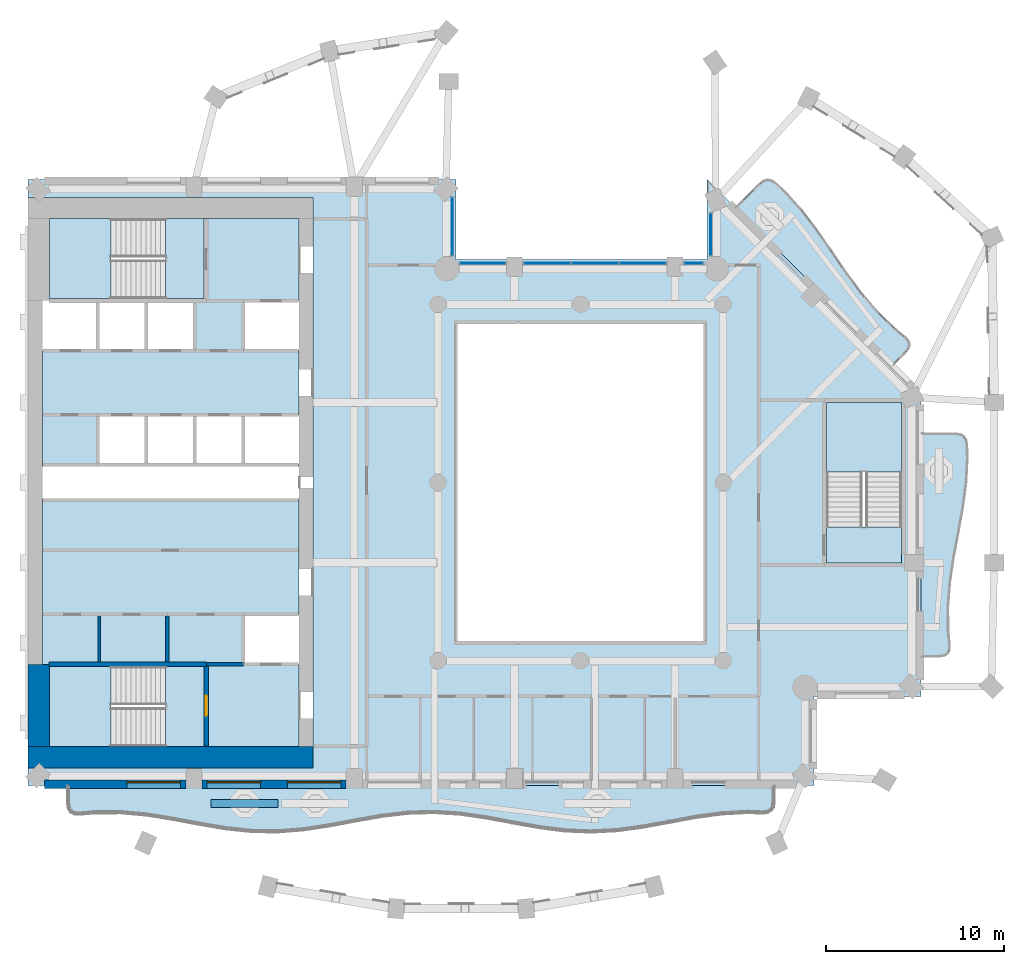
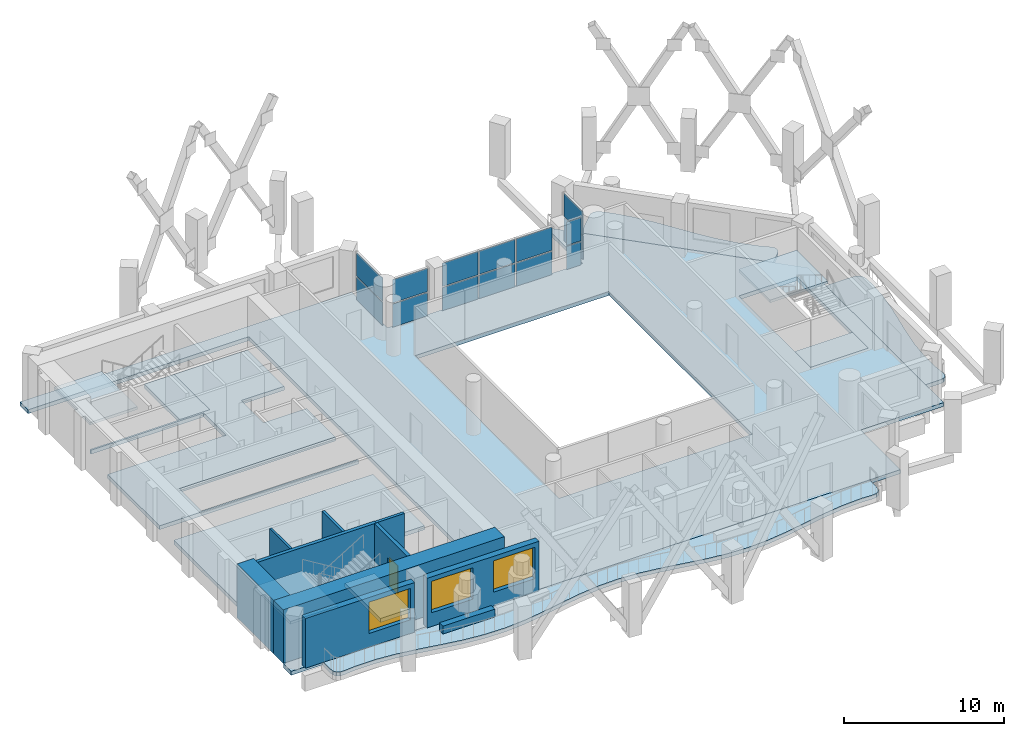
# One storey, part 3 of 16: 14 plates, 12 slabs, 10 walls, 3 windows, 1 door, 4 openings, 8 elements without a shape of their own.
"""IFC4 building model written with IfcOpenShell, lengths in metres."""

from ifc_helpers import new_model, si_unit, direction, frame, frame_2d, origin, origin_2d, place, context, subcontext, project, spatial, polyline, rectangle, outline, extrude, material, layer, layer_set, type_object, element, fill, aggregate, save


model = new_model("IFC4")

# Units and contexts
model_context = context("Model", 3, precision=1e-05, world=origin(), true_north=direction((0.0, 1.0)))
body_context = subcontext(model_context, "Body", "Model", "MODEL_VIEW")
ifc_project = project(units=[si_unit("LENGTHUNIT", "METRE"), si_unit("AREAUNIT", "SQUARE_METRE"), si_unit("VOLUMEUNIT", "CUBIC_METRE"), si_unit("PLANEANGLEUNIT", "RADIAN"), si_unit("MASSUNIT", "GRAM", prefix="KILO")], contexts=[model_context])

# Site, building, storey
site_placement = place(None, origin())
site = spatial("IfcSite", under=ifc_project, at=site_placement, CompositionType="ELEMENT")
building_placement = place(site_placement, origin())
building = spatial("IfcBuilding", under=site, at=building_placement, Name="Cypress Arch Tower", CompositionType="ELEMENT")
storey_placement = place(building_placement, frame((0.0, 0.0, 181.0)))
storey = spatial("IfcBuildingStorey", under=building, at=storey_placement, Name="L39", CompositionType="ELEMENT", Elevation=181.0)

# Slabs
ifc_material_1 = material(Name="Concrete C40/50", Category="concrete")
ifc_layer_1 = layer(ifc_material_1, 0.300048828125)
ifc_layer_set_1 = layer_set([ifc_layer_1], Name="Balcony slab BS300")
slab_type_1 = type_object("IfcSlabType", Name="Balcony slab BS300", PredefinedType="USERDEFINED", material=ifc_layer_set_1)
slab_1_placement = place(storey_placement, frame((0.0, 0.0, -0.300048828125)))
element("IfcSlab", 1, at=slab_1_placement, inside=storey, type_object=slab_type_1, Name="Balcony slab L39-B01", ObjectType="BALCONY SLAB", PredefinedType="USERDEFINED", context=body_context, shape_type="SweptSolid", body=[
    extrude(outline(polyline([(-27.75, -17.0), (-27.75, -17.998291015625), (-27.708740234375, -18.284423828125), (-27.5849609375, -18.479736328125), (-27.378662109375, -18.584228515625), (-27.090087890625, -18.597900390625), (-26.283447265625, -18.5205078125), (-24.816650390625, -18.515625), (-23.35009765625, -18.64794921875), (-21.88330078125, -18.88330078125), (-20.416748046875, -19.161865234375), (-18.949951171875, -19.41162109375), (-17.4833984375, -19.56884765625), (-16.0166015625, -19.593017578125), (-14.550048828125, -19.478271484375), (-13.083251953125, -19.253662109375), (-11.61669921875, -18.97705078125), (-10.14990234375, -18.71923828125), (-8.683349609375, -18.54638671875), (-7.216552734375, -18.502685546875), (-5.75, -18.599609375), (-4.283447265625, -18.81201171875), (-2.816650390625, -19.085693359375), (-1.35009765625, -19.350341796875), (0.11669921875, -19.5380859375), (1.583251953125, -19.6005859375), (3.050048828125, -19.522216796875), (4.5166015625, -19.322998046875), (5.9833984375, -19.0537109375), (7.449951171875, -18.78369140625), (8.916748046875, -18.58203125), (10.38330078125, -18.50048828125), (11.18994140625, -18.533203125), (11.478759765625, -18.503662109375), (11.68505859375, -18.38818359375), (11.808837890625, -18.186767578125), (11.85009765625, -17.8994140625), (11.85009765625, -17.0), (-27.75, -17.0)])), origin(), (0.0, 0.0, 1.0), 0.300048828125),
])
slab_2_placement = place(storey_placement, frame((0.0, 0.0, -0.300048828125)))
element("IfcSlab", 2, at=slab_2_placement, inside=storey, type_object=slab_type_1, Name="Balcony slab L39-B04", ObjectType="BALCONY SLAB", PredefinedType="USERDEFINED", context=body_context, shape_type="SweptSolid", body=[
    extrude(outline(polyline([(20.10009765625, -9.75), (21.13330078125, -9.75), (21.404052734375, -9.7109375), (21.5888671875, -9.59375), (21.6875, -9.3984375), (21.69970703125, -9.125), (21.624755859375, -8.361083984375), (21.609375, -6.97216796875), (21.71875, -5.583251953125), (21.927490234375, -4.1943359375), (22.187744140625, -2.8056640625), (22.439453125, -1.416748046875), (22.62451171875, -0.02783203125), (22.7001953125, 1.361083984375), (22.67236328125, 2.125), (22.623046875, 2.3984375), (22.498779296875, 2.59375), (22.299072265625, 2.7109375), (22.02392578125, 2.75), (20.10009765625, 2.75), (20.10009765625, -9.75)])), origin(), (0.0, 0.0, 1.0), 0.300048828125),
])
slab_3_placement = place(storey_placement, frame((0.0, 0.0, -0.300048828125)))
element("IfcSlab", 3, at=slab_3_placement, inside=storey, type_object=slab_type_1, Name="Balcony slab L39-B05", ObjectType="BALCONY SLAB", PredefinedType="USERDEFINED", context=body_context, shape_type="SweptSolid", body=[
    extrude(outline(polyline([(18.509033203125, 6.591064453125), (19.24072265625, 7.322509765625), (19.404296875, 7.541259765625), (19.451904296875, 7.75439453125), (19.383544921875, 7.961669921875), (19.199462890625, 8.1630859375), (18.607421875, 8.64892578125), (17.616455078125, 9.61767578125), (16.71337890625, 10.674072265625), (15.880615234375, 11.80078125), (15.084228515625, 12.9638671875), (14.2822265625, 14.12158203125), (13.43408203125, 15.23291015625), (12.50927734375, 16.267822265625), (11.95166015625, 16.787841796875), (11.724365234375, 16.9462890625), (11.4990234375, 16.99658203125), (11.275634765625, 16.9384765625), (11.05419921875, 16.772216796875), (9.69091796875, 15.408935546875), (18.509033203125, 6.591064453125)])), origin(), (0.0, 0.0, 1.0), 0.300048828125),
])
ifc_material_2 = material(Name="Concrete C40/50", Category="concrete")
ifc_layer_2 = layer(ifc_material_2, 0.300048828125)
ifc_layer_set_2 = layer_set([ifc_layer_2], Name="Core floor CF300")
slab_type_2 = type_object("IfcSlabType", Name="Core floor CF300", PredefinedType="FLOOR", material=ifc_layer_set_2)
slab_4_placement = place(storey_placement, frame((0.0, 0.0, -0.300048828125)))
element("IfcSlab", 4, at=slab_4_placement, inside=storey, type_object=slab_type_2, Name="Core floor", PredefinedType="FLOOR", context=body_context, shape_type="SweptSolid", body=[
    extrude(outline(polyline([(-28.800048828125, -10.199951171875), (-29.199951171875, -10.199951171875), (-29.199951171875, -0.89990234375), (-15.199951171875, -0.89990234375), (-14.800048828125, -0.89990234375), (-14.800048828125, -7.39990234375), (-15.199951171875, -7.39990234375), (-17.919921875, -7.39990234375), (-17.919921875, -10.199951171875), (-15.199951171875, -10.199951171875), (-14.800048828125, -10.199951171875), (-14.800048828125, -14.800048828125), (-15.199951171875, -14.800048828125), (-20.125, -14.800048828125), (-20.125, -10.324951171875), (-22.27490234375, -10.324951171875), (-28.800048828125, -10.324951171875), (-28.800048828125, -10.199951171875)])), origin(), (0.0, 0.0, 1.0), 0.300048828125),
])
slab_5_placement = place(storey_placement, frame((0.0, 0.0, -0.300048828125)))
element("IfcSlab", 5, at=slab_5_placement, inside=storey, type_object=slab_type_2, Name="Core floor", PredefinedType="FLOOR", context=body_context, shape_type="SweptSolid", body=[
    extrude(outline(polyline([(-22.27490234375, -10.324951171875), (-22.27490234375, -14.800048828125), (-20.125, -14.800048828125), (-20.125, -10.324951171875), (-22.27490234375, -10.324951171875)])), origin(), (0.0, 0.0, 1.0), 0.300048828125),
])
slab_6_placement = place(storey_placement, frame((0.0, 0.0, -0.300048828125)))
element("IfcSlab", 6, at=slab_6_placement, inside=storey, type_object=slab_type_2, Name="Core floor", PredefinedType="FLOOR", context=body_context, shape_type="SweptSolid", body=[
    extrude(outline(polyline([(-20.125, 14.800048828125), (-22.27490234375, 14.800048828125), (-22.27490234375, 10.324951171875), (-20.125, 10.324951171875), (-20.125, 14.800048828125)])), origin(), (0.0, 0.0, 1.0), 0.300048828125),
])
slab_7_placement = place(storey_placement, frame((0.0, 0.0, -0.300048828125)))
element("IfcSlab", 7, at=slab_7_placement, inside=storey, type_object=slab_type_2, Name="Stair floor landing", PredefinedType="FLOOR", context=body_context, shape_type="SweptSolid", body=[
    extrude(outline(polyline([(19.0, -4.5), (19.0, -2.5), (14.800048828125, -2.5), (14.800048828125, -4.5), (19.0, -4.5)])), origin(), (0.0, 0.0, 1.0), 0.300048828125),
])
slab_8_placement = place(storey_placement, frame((0.0, 0.0, -0.300048828125)))
element("IfcSlab", 8, at=slab_8_placement, inside=storey, type_object=slab_type_2, Name="Core floor", PredefinedType="FLOOR", context=body_context, shape_type="SweptSolid", body=[
    extrude(outline(polyline([(-20.639892578125, 7.39990234375), (-20.639892578125, 10.199951171875), (-23.360107421875, 10.199951171875), (-26.080078125, 10.199951171875), (-28.800048828125, 10.199951171875), (-28.800048828125, 10.324951171875), (-22.27490234375, 10.324951171875), (-20.125, 10.324951171875), (-20.125, 14.800048828125), (-15.199951171875, 14.800048828125), (-14.800048828125, 14.800048828125), (-14.800048828125, 10.199951171875), (-15.199951171875, 10.199951171875), (-17.919921875, 10.199951171875), (-17.919921875, 7.39990234375), (-15.199951171875, 7.39990234375), (-14.800048828125, 7.39990234375), (-14.800048828125, 3.800048828125), (-15.199951171875, 3.800048828125), (-17.919921875, 3.800048828125), (-20.639892578125, 3.800048828125), (-23.360107421875, 3.800048828125), (-26.080078125, 3.800048828125), (-26.080078125, 1.5), (-26.080078125, 1.5), (-26.080078125, 1.0), (-25.679931640625, 1.0), (-23.360107421875, 1.0), (-20.639892578125, 1.0), (-17.919921875, 1.0), (-15.199951171875, 1.0), (-14.800048828125, 1.0), (-14.800048828125, 0.89990234375), (-15.199951171875, 0.89990234375), (-25.679931640625, 0.89990234375), (-26.47998046875, 0.89990234375), (-29.199951171875, 0.89990234375), (-29.199951171875, 1.5), (-29.199951171875, 7.39990234375), (-26.080078125, 7.39990234375), (-23.360107421875, 7.39990234375), (-20.639892578125, 7.39990234375)])), origin(), (0.0, 0.0, 1.0), 0.300048828125),
])

# Curtain wall, plates
ifc_material_3 = material(Name="Anodised aluminium, bronze finish, clear laminated double glazing", Category="aluminium")
curtain_wall_type = type_object("IfcCurtainWallType", Name="Curtain wall CW7 slot glazing", PredefinedType="NOTDEFINED", material=ifc_material_3)
curtain_wall_1_placement = place(storey_placement, origin())
curtain_wall_1 = element("IfcCurtainWall", 9, at=curtain_wall_1_placement, inside=storey, type_object=curtain_wall_type, Name="Curtain wall L39 slot B06.0", PredefinedType="NOTDEFINED")
ifc_material_4 = material(Name="Clear laminated double glazing", Category="glass")
ifc_layer_3 = layer(ifc_material_4, 0.0439453125)
ifc_layer_set_3 = layer_set([ifc_layer_3], Name="Glass panel CW7 44")
plate_type = type_object("IfcPlateType", Name="Glass panel CW7 44", PredefinedType="CURTAIN_PANEL", material=ifc_layer_set_3)
plate_1_placement = place(storey_placement, frame((8.300048828125, 13.912353515625, 0.0849609375), z_axis=(0.0, 0.0, 1.0), x_axis=(0.0, -1.0, 0.0)))
plate_1 = element("IfcPlate", 10, at=plate_1_placement, type_object=plate_type, Name="CW7 panel 1.1", PredefinedType="CURTAIN_PANEL", context=body_context, shape_type="SweptSolid", body=[
    extrude(rectangle(XDim=2.345458984375, YDim=0.0439453125, at=origin_2d()), origin(), (0.0, 0.0, 1.0), 1.7724609375),
])
plate_2_placement = place(storey_placement, frame((8.300048828125, 13.912353515625, 1.942626953125), z_axis=(0.0, 0.0, 1.0), x_axis=(0.0, -1.0, 0.0)))
plate_2 = element("IfcPlate", 11, at=plate_2_placement, type_object=plate_type, Name="CW7 panel 1.2", PredefinedType="CURTAIN_PANEL", context=body_context, shape_type="SweptSolid", body=[
    extrude(rectangle(XDim=2.345458984375, YDim=0.0439453125, at=origin_2d()), origin(), (0.0, 0.0, 1.0), 1.7724609375),
])
aggregate(curtain_wall_1, [plate_1, plate_2])

curtain_wall_2_placement = place(storey_placement, origin())
curtain_wall_2 = element("IfcCurtainWall", 12, at=curtain_wall_2_placement, inside=storey, type_object=curtain_wall_type, Name="Curtain wall L39 slot B07.0", PredefinedType="NOTDEFINED")
plate_3_placement = place(storey_placement, frame((7.34765625, 12.300048828125, 0.0849609375), z_axis=(0.0, 0.0, 1.0), x_axis=(-1.0, 0.0, 0.0)))
plate_3 = element("IfcPlate", 13, at=plate_3_placement, type_object=plate_type, Name="CW7 panel 1.1", PredefinedType="CURTAIN_PANEL", context=body_context, shape_type="SweptSolid", body=[
    extrude(rectangle(XDim=1.025390625, YDim=0.0439453125, at=origin_2d()), origin(), (0.0, 0.0, 1.0), 1.7724609375),
])
plate_4_placement = place(storey_placement, frame((7.34765625, 12.300048828125, 1.942626953125), z_axis=(0.0, 0.0, 1.0), x_axis=(-1.0, 0.0, 0.0)))
plate_4 = element("IfcPlate", 14, at=plate_4_placement, type_object=plate_type, Name="CW7 panel 1.2", PredefinedType="CURTAIN_PANEL", context=body_context, shape_type="SweptSolid", body=[
    extrude(rectangle(XDim=1.025390625, YDim=0.0439453125, at=origin_2d()), origin(), (0.0, 0.0, 1.0), 1.7724609375),
])
aggregate(curtain_wall_2, [plate_3, plate_4])

curtain_wall_3_placement = place(storey_placement, origin())
curtain_wall_3 = element("IfcCurtainWall", 15, at=curtain_wall_3_placement, inside=storey, type_object=curtain_wall_type, Name="Curtain wall L39 slot B07.1", PredefinedType="NOTDEFINED")
plate_5_placement = place(storey_placement, frame((4.478759765625, 12.300048828125, 0.0849609375), z_axis=(0.0, 0.0, 1.0), x_axis=(-1.0, 0.0, 0.0)))
plate_5 = element("IfcPlate", 16, at=plate_5_placement, type_object=plate_type, Name="CW7 panel 1.1", PredefinedType="CURTAIN_PANEL", context=body_context, shape_type="SweptSolid", body=[
    extrude(rectangle(XDim=2.572509765625, YDim=0.0439453125, at=origin_2d()), origin(), (0.0, 0.0, 1.0), 1.7724609375),
])
plate_6_placement = place(storey_placement, frame((4.478759765625, 12.300048828125, 1.942626953125), z_axis=(0.0, 0.0, 1.0), x_axis=(-1.0, 0.0, 0.0)))
plate_6 = element("IfcPlate", 17, at=plate_6_placement, type_object=plate_type, Name="CW7 panel 1.2", PredefinedType="CURTAIN_PANEL", context=body_context, shape_type="SweptSolid", body=[
    extrude(rectangle(XDim=2.572509765625, YDim=0.0439453125, at=origin_2d()), origin(), (0.0, 0.0, 1.0), 1.7724609375),
])
plate_7_placement = place(storey_placement, frame((1.800048828125, 12.300048828125, 0.0849609375), z_axis=(0.0, 0.0, 1.0), x_axis=(-1.0, 0.0, 0.0)))
plate_7 = element("IfcPlate", 18, at=plate_7_placement, type_object=plate_type, Name="CW7 panel 2.1", PredefinedType="CURTAIN_PANEL", context=body_context, shape_type="SweptSolid", body=[
    extrude(rectangle(XDim=2.614990234375, YDim=0.0439453125, at=origin_2d()), origin(), (0.0, 0.0, 1.0), 1.7724609375),
])
plate_8_placement = place(storey_placement, frame((1.800048828125, 12.300048828125, 1.942626953125), z_axis=(0.0, 0.0, 1.0), x_axis=(-1.0, 0.0, 0.0)))
plate_8 = element("IfcPlate", 19, at=plate_8_placement, type_object=plate_type, Name="CW7 panel 2.2", PredefinedType="CURTAIN_PANEL", context=body_context, shape_type="SweptSolid", body=[
    extrude(rectangle(XDim=2.614990234375, YDim=0.0439453125, at=origin_2d()), origin(), (0.0, 0.0, 1.0), 1.7724609375),
])
plate_9_placement = place(storey_placement, frame((-0.878662109375, 12.300048828125, 0.0849609375), z_axis=(0.0, 0.0, 1.0), x_axis=(-1.0, 0.0, 0.0)))
plate_9 = element("IfcPlate", 20, at=plate_9_placement, type_object=plate_type, Name="CW7 panel 3.1", PredefinedType="CURTAIN_PANEL", context=body_context, shape_type="SweptSolid", body=[
    extrude(rectangle(XDim=2.572509765625, YDim=0.0439453125, at=origin_2d()), origin(), (0.0, 0.0, 1.0), 1.7724609375),
])
plate_10_placement = place(storey_placement, frame((-0.878662109375, 12.300048828125, 1.942626953125), z_axis=(0.0, 0.0, 1.0), x_axis=(-1.0, 0.0, 0.0)))
plate_10 = element("IfcPlate", 21, at=plate_10_placement, type_object=plate_type, Name="CW7 panel 3.2", PredefinedType="CURTAIN_PANEL", context=body_context, shape_type="SweptSolid", body=[
    extrude(rectangle(XDim=2.572509765625, YDim=0.0439453125, at=origin_2d()), origin(), (0.0, 0.0, 1.0), 1.7724609375),
])
aggregate(curtain_wall_3, [plate_5, plate_6, plate_7, plate_8, plate_9, plate_10])

curtain_wall_4_placement = place(storey_placement, origin())
curtain_wall_4 = element("IfcCurtainWall", 22, at=curtain_wall_4_placement, inside=storey, type_object=curtain_wall_type, Name="Curtain wall L39 slot B07.2", PredefinedType="NOTDEFINED")
plate_11_placement = place(storey_placement, frame((-4.497802734375, 12.300048828125, 0.0849609375), z_axis=(0.0, 0.0, 1.0), x_axis=(-1.0, 0.0, 0.0)))
plate_11 = element("IfcPlate", 23, at=plate_11_placement, type_object=plate_type, Name="CW7 panel 1.1", PredefinedType="CURTAIN_PANEL", context=body_context, shape_type="SweptSolid", body=[
    extrude(rectangle(XDim=2.525390625, YDim=0.0439453125, at=origin_2d()), origin(), (0.0, 0.0, 1.0), 1.7724609375),
])
plate_12_placement = place(storey_placement, frame((-4.497802734375, 12.300048828125, 1.942626953125), z_axis=(0.0, 0.0, 1.0), x_axis=(-1.0, 0.0, 0.0)))
plate_12 = element("IfcPlate", 24, at=plate_12_placement, type_object=plate_type, Name="CW7 panel 1.2", PredefinedType="CURTAIN_PANEL", context=body_context, shape_type="SweptSolid", body=[
    extrude(rectangle(XDim=2.525390625, YDim=0.0439453125, at=origin_2d()), origin(), (0.0, 0.0, 1.0), 1.7724609375),
])
aggregate(curtain_wall_4, [plate_11, plate_12])

curtain_wall_5_placement = place(storey_placement, origin())
curtain_wall_5 = element("IfcCurtainWall", 25, at=curtain_wall_5_placement, inside=storey, type_object=curtain_wall_type, Name="Curtain wall L39 slot B08.0", PredefinedType="NOTDEFINED")
plate_13_placement = place(storey_placement, frame((-6.199951171875, 14.359130859375, 0.0849609375), z_axis=(0.0, 0.0, 1.0), x_axis=(0.0, 1.0, 0.0)))
plate_13 = element("IfcPlate", 26, at=plate_13_placement, type_object=plate_type, Name="CW7 panel 1.1", PredefinedType="CURTAIN_PANEL", context=body_context, shape_type="SweptSolid", body=[
    extrude(rectangle(XDim=3.239013671875, YDim=0.0439453125, at=origin_2d()), origin(), (0.0, 0.0, 1.0), 1.7724609375),
])
plate_14_placement = place(storey_placement, frame((-6.199951171875, 14.359130859375, 1.942626953125), z_axis=(0.0, 0.0, 1.0), x_axis=(0.0, 1.0, 0.0)))
plate_14 = element("IfcPlate", 27, at=plate_14_placement, type_object=plate_type, Name="CW7 panel 1.2", PredefinedType="CURTAIN_PANEL", context=body_context, shape_type="SweptSolid", body=[
    extrude(rectangle(XDim=3.239013671875, YDim=0.0439453125, at=origin_2d()), origin(), (0.0, 0.0, 1.0), 1.7724609375),
])
aggregate(curtain_wall_5, [plate_13, plate_14])

# Slab
ifc_material_5 = material(Name="Concrete C40/50", Category="concrete")
ifc_layer_4 = layer(ifc_material_5, 0.300048828125)
ifc_layer_set_4 = layer_set([ifc_layer_4], Name="PT flat slab 300 Concrete C40/50")
slab_type_3 = type_object("IfcSlabType", Name="PT flat slab 300 Concrete C40/50", PredefinedType="FLOOR", material=ifc_layer_set_4)
slab_9_placement = place(storey_placement, frame((0.0, 0.0, -0.300048828125)))
element("IfcSlab", 28, at=slab_9_placement, inside=storey, type_object=slab_type_3, Name="Floor slab L39", PredefinedType="FLOOR", context=body_context, shape_type="SweptSolid", body=[
    extrude(outline(polyline([(-30.0, 17.0), (-6.0, 17.0), (-6.0, 12.5), (8.10009765625, 12.5), (8.10009765625, 17.0), (20.10009765625, 5.0), (20.10009765625, -12.0), (14.10009765625, -12.0), (14.10009765625, -17.0), (-30.0, -17.0), (-30.0, -16.0), (-14.0, -16.0), (-14.0, 16.0), (-30.0, 16.0), (-30.0, 17.0)]), holes=[polyline([(-6.0, -9.0), (8.0, -9.0), (8.0, 9.0), (-6.0, 9.0), (-6.0, -9.0)]), polyline([(14.800048828125, -4.5), (19.0, -4.5), (19.0, 4.5), (14.800048828125, 4.5), (14.800048828125, -4.5)])]), origin(), (0.0, 0.0, 1.0), 0.300048828125),
])

# Stair, slab
ifc_material_6 = material(Name="Concrete C40/50", Category="concrete")
stair_type_1 = type_object("IfcStairType", Name="Exit stair ES1708-215", PredefinedType="HALF_TURN_STAIR", material=ifc_material_6)
stair_1_placement = place(storey_placement, origin())
stair_1 = element("IfcStair", 29, at=stair_1_placement, inside=storey, type_object=stair_type_1, Name="L39 Exit stair A", PredefinedType="HALF_TURN_STAIR")
ifc_material_7 = material(Name="Concrete C40/50", Category="concrete")
ifc_layer_5 = layer(ifc_material_7, 0.199951171875)
ifc_layer_set_5 = layer_set([ifc_layer_5], Name="Stair landing SL200")
slab_type_4 = type_object("IfcSlabType", Name="Stair landing SL200", PredefinedType="LANDING", material=ifc_layer_set_5)
slab_10_placement = place(storey_placement, frame((0.0, 0.0, 1.85009765625)))
slab_10 = element("IfcSlab", 30, at=slab_10_placement, type_object=slab_type_4, Name="A landing 1", PredefinedType="LANDING", context=body_context, shape_type="SweptSolid", body=[
    extrude(outline(polyline([(-25.35498046875, -10.324951171875), (-28.800048828125, -10.324951171875), (-28.800048828125, -14.800048828125), (-25.35498046875, -14.800048828125), (-25.35498046875, -10.324951171875)])), origin(), (0.0, 0.0, 1.0), 0.199951171875),
])
aggregate(stair_1, [slab_10])

stair_2_placement = place(storey_placement, origin())
stair_2 = element("IfcStair", 31, at=stair_2_placement, inside=storey, type_object=stair_type_1, Name="L39 Exit stair B", PredefinedType="HALF_TURN_STAIR")
slab_11_placement = place(storey_placement, frame((0.0, 0.0, 1.85009765625)))
slab_11 = element("IfcSlab", 32, at=slab_11_placement, type_object=slab_type_4, Name="B landing 1", PredefinedType="LANDING", context=body_context, shape_type="SweptSolid", body=[
    extrude(outline(polyline([(-25.35498046875, 14.800048828125), (-28.800048828125, 14.800048828125), (-28.800048828125, 10.324951171875), (-25.35498046875, 10.324951171875), (-25.35498046875, 14.800048828125)])), origin(), (0.0, 0.0, 1.0), 0.199951171875),
])
aggregate(stair_2, [slab_11])

ifc_material_8 = material(Name="Concrete C40/50", Category="concrete")
stair_type_2 = type_object("IfcStairType", Name="Exit stair ES1708-200", PredefinedType="HALF_TURN_STAIR", material=ifc_material_8)
stair_3_placement = place(storey_placement, origin())
stair_3 = element("IfcStair", 33, at=stair_3_placement, inside=storey, type_object=stair_type_2, Name="L39 Exit stair C", PredefinedType="HALF_TURN_STAIR")
slab_12_placement = place(storey_placement, frame((0.0, 0.0, 1.85009765625)))
slab_12 = element("IfcSlab", 34, at=slab_12_placement, type_object=slab_type_4, Name="C landing 1", PredefinedType="LANDING", context=body_context, shape_type="SweptSolid", body=[
    extrude(outline(polyline([(19.0, 0.580078125), (19.0, 4.5), (14.800048828125, 4.5), (14.800048828125, 0.580078125), (19.0, 0.580078125)])), origin(), (0.0, 0.0, 1.0), 0.199951171875),
])
aggregate(stair_3, [slab_12])

# Wall
ifc_material_9 = material(Name="Concrete C40/50, waterproofed", Category="concrete")
ifc_layer_6 = layer(ifc_material_9, 0.449951171875)
ifc_layer_set_6 = layer_set([ifc_layer_6], Name="Balcony planter wall PW450")
wall_type_1 = type_object("IfcWallType", Name="Balcony planter wall PW450", PredefinedType="SOLIDWALL", material=ifc_layer_set_6)
wall_1_placement = place(storey_placement, frame((-19.72998046875, -18.0, 0.0), z_axis=(0.0, 0.0, 1.0), x_axis=(1.0, 0.0, 0.0)))
element("IfcWall", 35, at=wall_1_placement, inside=storey, type_object=wall_type_1, Name="Balcony planter wall L39-B01.1", PredefinedType="SOLIDWALL", context=body_context, shape_type="SweptSolid", body=[
    extrude(rectangle(XDim=3.760009765625, YDim=0.449951171875, at=frame_2d((1.8798828125, 0.0))), origin(), (0.0, 0.0, 1.0), 0.60009765625),
])

# Wall, opening, window
ifc_material_10 = material(Name="Brick (red buff blend)", Category="masonry")
ifc_layer_7 = layer(ifc_material_10, 0.449951171875)
ifc_layer_set_7 = layer_set([ifc_layer_7], Name="Brick pier and spandrel wall BW450")
wall_type_2 = type_object("IfcWallType", Name="Brick pier and spandrel wall BW450", PredefinedType="SOLIDWALL", material=ifc_layer_set_7)
wall_2_placement = place(storey_placement, frame((-29.063720703125, -16.925048828125, 0.0), z_axis=(0.0, 0.0, 1.0), x_axis=(1.0, 0.0, 0.0)))
wall_2 = element("IfcWall", 36, at=wall_2_placement, inside=storey, type_object=wall_type_2, Name="Brick wall L39 B01.0", PredefinedType="SOLIDWALL", context=body_context, shape_type="SweptSolid", body=[
    extrude(rectangle(XDim=7.913818359375, YDim=0.449951171875, at=frame_2d((3.95703125, 0.0))), origin(), (0.0, 0.0, 1.0), 3.800048828125),
])
opening_1_placement = place(wall_2_placement, frame((4.613525390625, 0.0, 1.050048828125)))
opening_1 = element("IfcOpeningElement", 37, at=opening_1_placement, cuts=wall_2, Name="Opening W300OD", PredefinedType="OPENING", context=body_context, shape_type="SweptSolid", body=[
    extrude(rectangle(XDim=3.0, YDim=2.39990234375, at=frame_2d((1.5, 1.199951171875))), frame((0.0, 0.23486328125, 0.0), z_axis=(0.0, -1.0, 0.0), x_axis=(1.0, 0.0, 0.0)), (0.0, 0.0, 1.0), 0.469970703125),
])
ifc_material_11 = material(Name="Anodised aluminium, bronze finish, laminated low-emissivity double glazing, large-missile impact rated", Category="aluminium")
window_type = type_object("IfcWindowType", Name="Window Office 3000x2400 debris-rated", PartitioningType="SINGLE_PANEL", PredefinedType="WINDOW", material=ifc_material_11)
window_1_placement = place(opening_1_placement, origin())
window_1 = element("IfcWindow", 38, at=window_1_placement, inside=storey, type_object=window_type, Name="Window L39 B01.0.2", OverallHeight=2.39990234375, OverallWidth=3.0, PartitioningType="SINGLE_PANEL", PredefinedType="WINDOW", context=body_context, shape_type="SweptSolid", body=[
    extrude(rectangle(XDim=3.0, YDim=2.39990234375, at=frame_2d((1.5, 1.199951171875))), frame((0.0, 0.135009765625, 0.0), z_axis=(0.0, -1.0, 0.0), x_axis=(1.0, 0.0, 0.0)), (0.0, 0.0, 1.0), 0.06005859375),
])
fill(opening_1, window_1)

# Wall, openings, windows
wall_3_placement = place(storey_placement, frame((-20.25, -16.925048828125, 0.0), z_axis=(0.0, 0.0, 1.0), x_axis=(1.0, 0.0, 0.0)))
wall_3 = element("IfcWall", 39, at=wall_3_placement, inside=storey, type_object=wall_type_2, Name="Brick wall L39 B01.1", PredefinedType="SOLIDWALL", context=body_context, shape_type="SweptSolid", body=[
    extrude(rectangle(XDim=8.10009765625, YDim=0.449951171875, at=frame_2d((4.050048828125, 0.0))), origin(), (0.0, 0.0, 1.0), 3.800048828125),
])
opening_2_placement = place(wall_3_placement, frame((0.300048828125, 0.0, 1.050048828125)))
opening_2 = element("IfcOpeningElement", 40, at=opening_2_placement, cuts=wall_3, Name="Opening W300OD", PredefinedType="OPENING", context=body_context, shape_type="SweptSolid", body=[
    extrude(rectangle(XDim=3.0, YDim=2.39990234375, at=frame_2d((1.5, 1.199951171875))), frame((0.0, 0.23486328125, 0.0), z_axis=(0.0, -1.0, 0.0), x_axis=(1.0, 0.0, 0.0)), (0.0, 0.0, 1.0), 0.469970703125),
])
opening_3_placement = place(wall_3_placement, frame((4.800048828125, 0.0, 1.050048828125)))
opening_3 = element("IfcOpeningElement", 41, at=opening_3_placement, cuts=wall_3, Name="Opening W300OD", PredefinedType="OPENING", context=body_context, shape_type="SweptSolid", body=[
    extrude(rectangle(XDim=3.0, YDim=2.39990234375, at=frame_2d((1.5, 1.199951171875))), frame((0.0, 0.23486328125, 0.0), z_axis=(0.0, -1.0, 0.0), x_axis=(1.0, 0.0, 0.0)), (0.0, 0.0, 1.0), 0.469970703125),
])
window_2_placement = place(opening_2_placement, origin())
window_2 = element("IfcWindow", 42, at=window_2_placement, inside=storey, type_object=window_type, Name="Window L39 B01.1.1", OverallHeight=2.39990234375, OverallWidth=3.0, PartitioningType="SINGLE_PANEL", PredefinedType="WINDOW", context=body_context, shape_type="SweptSolid", body=[
    extrude(rectangle(XDim=3.0, YDim=2.39990234375, at=frame_2d((1.5, 1.199951171875))), frame((0.0, 0.135009765625, 0.0), z_axis=(0.0, -1.0, 0.0), x_axis=(1.0, 0.0, 0.0)), (0.0, 0.0, 1.0), 0.06005859375),
])
fill(opening_2, window_2)
window_3_placement = place(opening_3_placement, origin())
window_3 = element("IfcWindow", 43, at=window_3_placement, inside=storey, type_object=window_type, Name="Window L39 B01.1.2", OverallHeight=2.39990234375, OverallWidth=3.0, PartitioningType="SINGLE_PANEL", PredefinedType="WINDOW", context=body_context, shape_type="SweptSolid", body=[
    extrude(rectangle(XDim=3.0, YDim=2.39990234375, at=frame_2d((1.5, 1.199951171875))), frame((0.0, 0.135009765625, 0.0), z_axis=(0.0, -1.0, 0.0), x_axis=(1.0, 0.0, 0.0)), (0.0, 0.0, 1.0), 0.06005859375),
])
fill(opening_3, window_3)

# Walls
ifc_material_12 = material(Name="Concrete C70/85", Category="concrete")
ifc_layer_8 = layer(ifc_material_12, 1.199951171875)
ifc_layer_set_8 = layer_set([ifc_layer_8], Name="Core wall CW1200 C70/85")
wall_type_3 = type_object("IfcWallType", Name="Core wall CW1200 C70/85", PredefinedType="SHEAR", material=ifc_layer_set_8)
wall_4_placement = place(storey_placement, frame((-30.0, -15.39990234375, 0.0), z_axis=(0.0, 0.0, 1.0), x_axis=(1.0, 0.0, 0.0)))
element("IfcWall", 44, at=wall_4_placement, inside=storey, type_object=wall_type_3, Name="Core wall", PredefinedType="SHEAR", context=body_context, shape_type="SweptSolid", body=[
    extrude(rectangle(XDim=16.0, YDim=1.199951171875, at=frame_2d((8.0, 0.0))), origin(), (0.0, 0.0, 1.0), 4.10009765625),
])
wall_5_placement = place(storey_placement, frame((-29.39990234375, -14.800048828125, 0.0), z_axis=(0.0, 0.0, 1.0), x_axis=(0.0, 1.0, 0.0)))
element("IfcWall", 45, at=wall_5_placement, inside=storey, type_object=wall_type_3, Name="Core wall", PredefinedType="SHEAR", context=body_context, shape_type="SweptSolid", body=[
    extrude(rectangle(XDim=4.60009765625, YDim=1.199951171875, at=frame_2d((2.300048828125, 0.0))), origin(), (0.0, 0.0, 1.0), 4.10009765625),
])
ifc_material_13 = material(Name="Blockwork, plastered both sides", Category="masonry")
ifc_layer_9 = layer(ifc_material_13, 0.14990234375)
ifc_layer_set_9 = layer_set([ifc_layer_9], Name="Partition PW150")
wall_type_4 = type_object("IfcWallType", Name="Partition PW150", PredefinedType="PARTITIONING", material=ifc_layer_set_9)
wall_6_placement = place(storey_placement, frame((-26.0, -10.074951171875, 0.0), z_axis=(0.0, 0.0, 1.0), x_axis=(0.0, 1.0, 0.0)))
element("IfcWall", 46, at=wall_6_placement, inside=storey, type_object=wall_type_4, Name="Partition", PredefinedType="PARTITIONING", context=body_context, shape_type="SweptSolid", body=[
    extrude(rectangle(XDim=2.574951171875, YDim=0.14990234375, at=frame_2d((1.28759765625, 0.0))), origin(), (0.0, 0.0, 1.0), 3.800048828125),
])
ifc_material_14 = material(Name="Reinforced blockwork, plastered, rated", Category="masonry")
ifc_layer_10 = layer(ifc_material_14, 0.199951171875)
ifc_layer_set_10 = layer_set([ifc_layer_10], Name="Plant and riser wall PL200")
wall_type_5 = type_object("IfcWallType", Name="Plant and riser wall PL200", PredefinedType="PARTITIONING", material=ifc_layer_set_10)
wall_7_placement = place(storey_placement, frame((-22.199951171875, -10.074951171875, 0.0), z_axis=(0.0, 0.0, 1.0), x_axis=(0.0, 1.0, 0.0)))
element("IfcWall", 47, at=wall_7_placement, inside=storey, type_object=wall_type_5, Name="Plant and riser wall", PredefinedType="PARTITIONING", context=body_context, shape_type="SweptSolid", body=[
    extrude(rectangle(XDim=2.574951171875, YDim=0.199951171875, at=frame_2d((1.28759765625, 0.0))), origin(), (0.0, 0.0, 1.0), 3.800048828125),
])
wall_8_placement = place(storey_placement, frame((-20.0, -10.199951171875, 0.0), z_axis=(0.0, 0.0, 1.0), x_axis=(1.0, 0.0, 0.0)))
element("IfcWall", 48, at=wall_8_placement, inside=storey, type_object=wall_type_5, Name="Plant and riser wall", PredefinedType="PARTITIONING", context=body_context, shape_type="SweptSolid", body=[
    extrude(rectangle(XDim=2.080078125, YDim=0.199951171875, at=frame_2d((1.0400390625, 0.0))), origin(), (0.0, 0.0, 1.0), 3.800048828125),
])
ifc_material_15 = material(Name="Concrete C50/60", Category="concrete")
ifc_layer_11 = layer(ifc_material_15, 0.25)
ifc_layer_set_11 = layer_set([ifc_layer_11], Name="Stair enclosure wall SW250")
wall_type_6 = type_object("IfcWallType", Name="Stair enclosure wall SW250", PredefinedType="SHEAR", material=ifc_layer_set_11)
wall_9_placement = place(storey_placement, frame((-28.81005859375, -10.199951171875, 0.0), z_axis=(0.0, 0.0, 1.0), x_axis=(1.0, 0.0, 0.0)))
element("IfcWall", 49, at=wall_9_placement, inside=storey, type_object=wall_type_6, Name="Stair enclosure wall", PredefinedType="SHEAR", context=body_context, shape_type="SweptSolid", body=[
    extrude(rectangle(XDim=8.81005859375, YDim=0.25, at=frame_2d((4.405029296875, 0.0))), origin(), (0.0, 0.0, 1.0), 3.800048828125),
])

# Wall, opening, door
wall_10_placement = place(storey_placement, frame((-20.0, -14.77001953125, 0.0), z_axis=(0.0, 0.0, 1.0), x_axis=(0.0, 1.0, 0.0)))
wall_10 = element("IfcWall", 50, at=wall_10_placement, inside=storey, type_object=wall_type_6, Name="Stair enclosure wall", PredefinedType="SHEAR", context=body_context, shape_type="SweptSolid", body=[
    extrude(rectangle(XDim=4.445068359375, YDim=0.25, at=frame_2d((2.22265625, 0.0))), origin(), (0.0, 0.0, 1.0), 3.800048828125),
])
opening_4_placement = place(wall_10_placement, frame((1.699951171875, 0.0, 0.0)))
opening_4 = element("IfcOpeningElement", 51, at=opening_4_placement, cuts=wall_10, Name="Opening D06", PredefinedType="OPENING", context=body_context, shape_type="SweptSolid", body=[
    extrude(rectangle(XDim=1.10009765625, YDim=2.199951171875, at=frame_2d((0.550048828125, 1.10009765625))), frame((0.0, 0.135009765625, 0.0), z_axis=(0.0, -1.0, 0.0), x_axis=(1.0, 0.0, 0.0)), (0.0, 0.0, 1.0), 0.27001953125),
])
ifc_material_16 = material(Name="Steel door, fire resisting, panic bar", Category="steel")
door_type = type_object("IfcDoorType", Name="Stair door D06 1100x2200", OperationType="SINGLE_SWING_LEFT", PredefinedType="DOOR", material=ifc_material_16)
door_placement = place(opening_4_placement, origin())
door = element("IfcDoor", 52, at=door_placement, inside=storey, type_object=door_type, Name="Stair door", OperationType="SINGLE_SWING_RIGHT", OverallHeight=2.199951171875, OverallWidth=1.10009765625, PredefinedType="DOOR", context=body_context, shape_type="SweptSolid", body=[
    extrude(rectangle(XDim=1.10009765625, YDim=2.199951171875, at=frame_2d((0.550048828125, 1.10009765625))), frame((0.0, 0.02490234375, 0.0), z_axis=(0.0, -1.0, 0.0), x_axis=(1.0, 0.0, 0.0)), (0.0, 0.0, 1.0), 0.050048828125),
])
fill(opening_4, door)

save(model, "model.ifc")
